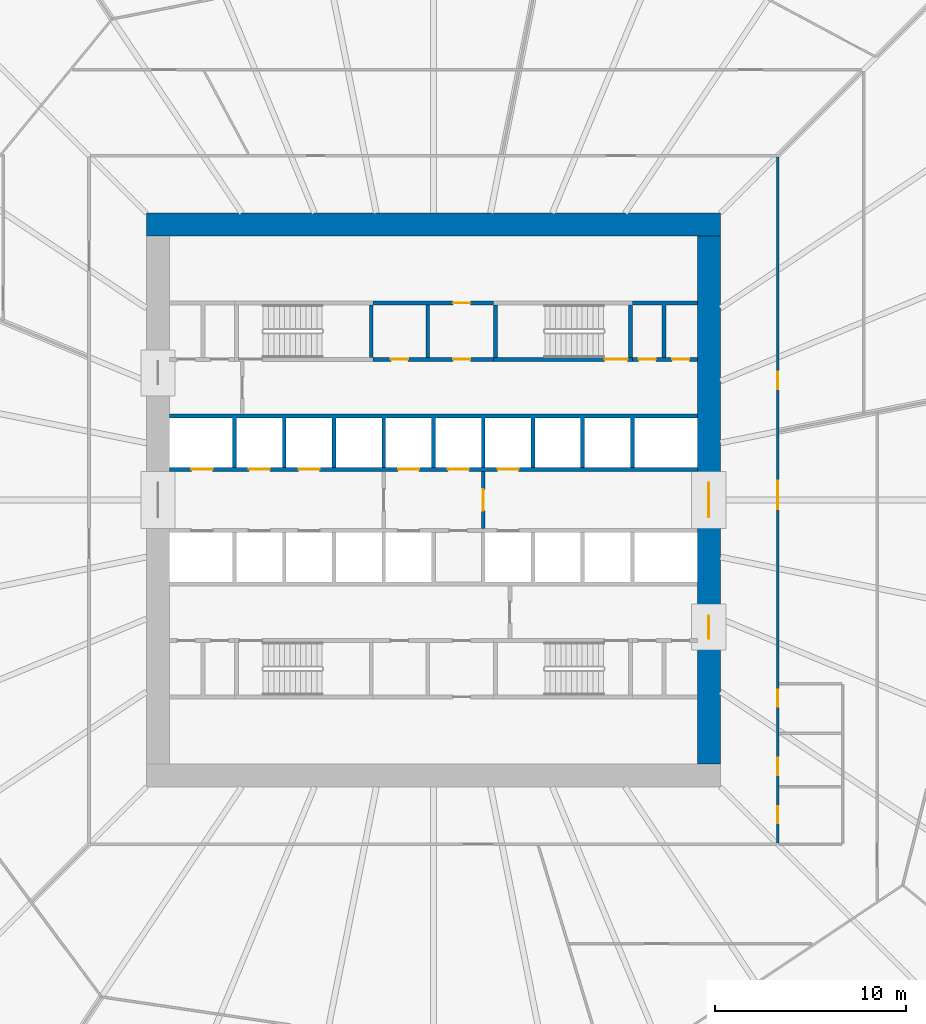
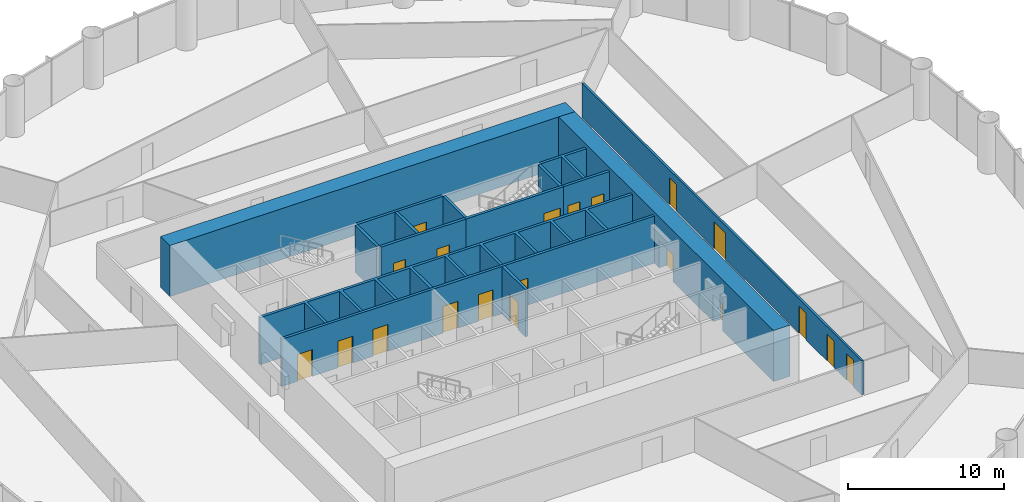
# One storey, part 12 of 15: 20 doors, 15 walls, 20 openings.
"""IFC4 building model written with IfcOpenShell, lengths in metres."""

from ifc_helpers import new_model, si_unit, direction, frame, frame_2d, origin, place, context, subcontext, project, spatial, polyline, rectangle, outline, extrude, material, layer, layer_set, type_object, element, fill, save


model = new_model("IFC4")

# Units and contexts
model_context = context("Model", 3, precision=1e-05, world=origin(), true_north=direction((0.0, 1.0)))
body_context = subcontext(model_context, "Body", "Model", "MODEL_VIEW")
ifc_project = project(units=[si_unit("LENGTHUNIT", "METRE"), si_unit("AREAUNIT", "SQUARE_METRE"), si_unit("VOLUMEUNIT", "CUBIC_METRE"), si_unit("PLANEANGLEUNIT", "RADIAN"), si_unit("MASSUNIT", "GRAM", prefix="KILO")], contexts=[model_context])

# Site, building, storey
site_placement = place(None, origin())
site = spatial("IfcSite", under=ifc_project, at=site_placement, CompositionType="ELEMENT")
building_placement = place(site_placement, origin())
building = spatial("IfcBuilding", under=site, at=building_placement, Name="Corvane Civic Tower", CompositionType="ELEMENT")
storey_placement = place(building_placement, frame((0.0, 0.0, 69.0)))
storey = spatial("IfcBuildingStorey", under=building, at=storey_placement, Name="L15", CompositionType="ELEMENT", Elevation=69.0)

# Wall
ifc_material_1 = material(Name="Concrete C80/95", Category="concrete")
ifc_layer_1 = layer(ifc_material_1, 1.199951171875)
ifc_layer_set_1 = layer_set([ifc_layer_1], Name="Concrete C80/95")
wall_type_1 = type_object("IfcWallType", Name="CORE WALL 1200 C80/95", PredefinedType="SHEAR", material=ifc_layer_set_1)
wall_1_placement = place(storey_placement, frame((-15.0, 14.39990234375, 0.0), z_axis=(0.0, 0.0, 1.0), x_axis=(1.0, 0.0, 0.0)))
element("IfcWall", 1, at=wall_1_placement, inside=storey, type_object=wall_type_1, Name="W-L15-core-N", PredefinedType="SHEAR", context=body_context, shape_type="SweptSolid", body=[
    extrude(rectangle(XDim=30.0, YDim=1.199951171875, at=frame_2d((15.0, 0.0))), origin(), (0.0, 0.0, 1.0), 4.0),
])

# Wall, openings, doors
wall_2_placement = place(storey_placement, frame((14.39990234375, -13.800048828125, 0.0), z_axis=(0.0, 0.0, 1.0), x_axis=(0.0, 1.0, 0.0)))
wall_2 = element("IfcWall", 2, at=wall_2_placement, inside=storey, type_object=wall_type_1, Name="W-L15-core-E", PredefinedType="SHEAR", context=body_context, shape_type="SweptSolid", body=[
    extrude(rectangle(XDim=27.60009765625, YDim=1.199951171875, at=frame_2d((13.800048828125, 0.0))), origin(), (0.0, 0.0, 1.0), 4.0),
])
opening_1_placement = place(wall_2_placement, frame((12.89990234375, 0.0, 0.0)))
opening_1 = element("IfcOpeningElement", 3, at=opening_1_placement, cuts=wall_2, Name="Opening L15.C25", PredefinedType="OPENING", context=body_context, shape_type="SweptSolid", body=[
    extrude(rectangle(XDim=1.800048828125, YDim=2.10009765625, at=frame_2d((0.89990234375, 1.050048828125))), frame((0.0, 0.60986328125, 0.0), z_axis=(0.0, -1.0, 0.0), x_axis=(1.0, 0.0, 0.0)), (0.0, 0.0, 1.0), 1.219970703125),
])
opening_2_placement = place(wall_2_placement, frame((6.550048828125, 0.0, 0.0)))
opening_2 = element("IfcOpeningElement", 4, at=opening_2_placement, cuts=wall_2, Name="Opening L15.C27", PredefinedType="OPENING", context=body_context, shape_type="SweptSolid", body=[
    extrude(rectangle(XDim=1.199951171875, YDim=2.10009765625, at=frame_2d((0.60009765625, 1.050048828125))), frame((0.0, 0.60986328125, 0.0), z_axis=(0.0, -1.0, 0.0), x_axis=(1.0, 0.0, 0.0)), (0.0, 0.0, 1.0), 1.219970703125),
])
ifc_material_2 = material(Name="Steel fire door leaf", Category="steel")
door_type_1 = type_object("IfcDoorType", Name="CR-DOOR-CORE-1800", OperationType="DOUBLE_DOOR_SINGLE_SWING", PredefinedType="DOOR", material=ifc_material_2)
door_1_placement = place(opening_1_placement, origin())
door_1 = element("IfcDoor", 5, at=door_1_placement, inside=storey, type_object=door_type_1, Name="L15 door", OperationType="DOUBLE_DOOR_SINGLE_SWING", OverallHeight=2.10009765625, OverallWidth=1.800048828125, PredefinedType="DOOR", context=body_context, shape_type="SweptSolid", body=[
    extrude(rectangle(XDim=1.800048828125, YDim=2.10009765625, at=frame_2d((0.89990234375, 1.050048828125))), frame((0.0, 0.02490234375, 0.0), z_axis=(0.0, -1.0, 0.0), x_axis=(1.0, 0.0, 0.0)), (0.0, 0.0, 1.0), 0.050048828125),
])
fill(opening_1, door_1)
door_2_placement = place(opening_2_placement, origin())
door_2 = element("IfcDoor", 6, at=door_2_placement, inside=storey, type_object=door_type_1, Name="L15 door", OperationType="DOUBLE_DOOR_SINGLE_SWING", OverallHeight=2.10009765625, OverallWidth=1.199951171875, PredefinedType="DOOR", context=body_context, shape_type="SweptSolid", body=[
    extrude(rectangle(XDim=1.199951171875, YDim=2.10009765625, at=frame_2d((0.60009765625, 1.050048828125))), frame((0.0, 0.02490234375, 0.0), z_axis=(0.0, -1.0, 0.0), x_axis=(1.0, 0.0, 0.0)), (0.0, 0.0, 1.0), 0.050048828125),
])
fill(opening_2, door_2)

ifc_material_3 = material(Name="Concrete C30/37", Category="concrete")
ifc_layer_2 = layer(ifc_material_3, 0.199951171875)
ifc_layer_set_2 = layer_set([ifc_layer_2], Name="Concrete C30/37")
wall_type_2 = type_object("IfcWallType", Name="CR-WALL-200", PredefinedType="PARTITIONING", material=ifc_layer_set_2)
wall_3_placement = place(storey_placement, frame((-13.800048828125, 1.60009765625, 0.0), z_axis=(0.0, 0.0, 1.0), x_axis=(1.0, 0.0, 0.0)))
wall_3 = element("IfcWall", 7, at=wall_3_placement, inside=storey, type_object=wall_type_2, Name="L15 lift shaft wall", PredefinedType="PARTITIONING", context=body_context, shape_type="SweptSolid", body=[
    extrude(rectangle(XDim=27.60009765625, YDim=0.199951171875, at=frame_2d((13.800048828125, 0.0))), origin(), (0.0, 0.0, 1.0), 3.699951171875),
])
opening_3_placement = place(wall_3_placement, frame((1.14990234375, 0.0, 0.0)))
opening_3 = element("IfcOpeningElement", 8, at=opening_3_placement, cuts=wall_3, Name="Opening LD", PredefinedType="OPENING", context=body_context, shape_type="SweptSolid", body=[
    extrude(rectangle(XDim=1.10009765625, YDim=2.10009765625, at=frame_2d((0.550048828125, 1.050048828125))), frame((0.0, 0.10986328125, 0.0), z_axis=(0.0, -1.0, 0.0), x_axis=(1.0, 0.0, 0.0)), (0.0, 0.0, 1.0), 0.219970703125),
])
opening_4_placement = place(wall_3_placement, frame((4.14990234375, 0.0, 0.0)))
opening_4 = element("IfcOpeningElement", 9, at=opening_4_placement, cuts=wall_3, Name="Opening LD", PredefinedType="OPENING", context=body_context, shape_type="SweptSolid", body=[
    extrude(rectangle(XDim=1.10009765625, YDim=2.10009765625, at=frame_2d((0.550048828125, 1.050048828125))), frame((0.0, 0.10986328125, 0.0), z_axis=(0.0, -1.0, 0.0), x_axis=(1.0, 0.0, 0.0)), (0.0, 0.0, 1.0), 0.219970703125),
])
opening_5_placement = place(wall_3_placement, frame((6.75, 0.0, 0.0)))
opening_5 = element("IfcOpeningElement", 10, at=opening_5_placement, cuts=wall_3, Name="Opening LD", PredefinedType="OPENING", context=body_context, shape_type="SweptSolid", body=[
    extrude(rectangle(XDim=1.10009765625, YDim=2.10009765625, at=frame_2d((0.550048828125, 1.050048828125))), frame((0.0, 0.10986328125, 0.0), z_axis=(0.0, -1.0, 0.0), x_axis=(1.0, 0.0, 0.0)), (0.0, 0.0, 1.0), 0.219970703125),
])
opening_6_placement = place(wall_3_placement, frame((11.949951171875, 0.0, 0.0)))
opening_6 = element("IfcOpeningElement", 11, at=opening_6_placement, cuts=wall_3, Name="Opening LD", PredefinedType="OPENING", context=body_context, shape_type="SweptSolid", body=[
    extrude(rectangle(XDim=1.10009765625, YDim=2.10009765625, at=frame_2d((0.550048828125, 1.050048828125))), frame((0.0, 0.10986328125, 0.0), z_axis=(0.0, -1.0, 0.0), x_axis=(1.0, 0.0, 0.0)), (0.0, 0.0, 1.0), 0.219970703125),
])
opening_7_placement = place(wall_3_placement, frame((14.550048828125, 0.0, 0.0)))
opening_7 = element("IfcOpeningElement", 12, at=opening_7_placement, cuts=wall_3, Name="Opening LD", PredefinedType="OPENING", context=body_context, shape_type="SweptSolid", body=[
    extrude(rectangle(XDim=1.10009765625, YDim=2.10009765625, at=frame_2d((0.550048828125, 1.050048828125))), frame((0.0, 0.10986328125, 0.0), z_axis=(0.0, -1.0, 0.0), x_axis=(1.0, 0.0, 0.0)), (0.0, 0.0, 1.0), 0.219970703125),
])
opening_8_placement = place(wall_3_placement, frame((17.14990234375, 0.0, 0.0)))
opening_8 = element("IfcOpeningElement", 13, at=opening_8_placement, cuts=wall_3, Name="Opening LD", PredefinedType="OPENING", context=body_context, shape_type="SweptSolid", body=[
    extrude(rectangle(XDim=1.10009765625, YDim=2.10009765625, at=frame_2d((0.550048828125, 1.050048828125))), frame((0.0, 0.10986328125, 0.0), z_axis=(0.0, -1.0, 0.0), x_axis=(1.0, 0.0, 0.0)), (0.0, 0.0, 1.0), 0.219970703125),
])
ifc_material_4 = material(Name="Stainless steel 316 door leaves", Category="steel")
door_type_2 = type_object("IfcDoorType", Name="LD", OperationType="DOUBLE_DOOR_SLIDING", PredefinedType="DOOR", material=ifc_material_4)
door_3_placement = place(opening_3_placement, origin())
door_3 = element("IfcDoor", 14, at=door_3_placement, inside=storey, type_object=door_type_2, Name="L15 landing door", OperationType="DOUBLE_DOOR_SLIDING", OverallHeight=2.10009765625, OverallWidth=1.10009765625, PredefinedType="DOOR", context=body_context, shape_type="SweptSolid", body=[
    extrude(rectangle(XDim=1.10009765625, YDim=2.10009765625, at=frame_2d((0.550048828125, 1.050048828125))), frame((0.0, 0.02490234375, 0.0), z_axis=(0.0, -1.0, 0.0), x_axis=(1.0, 0.0, 0.0)), (0.0, 0.0, 1.0), 0.050048828125),
])
fill(opening_3, door_3)
door_4_placement = place(opening_4_placement, origin())
door_4 = element("IfcDoor", 15, at=door_4_placement, inside=storey, type_object=door_type_2, Name="L15 landing door", OperationType="DOUBLE_DOOR_SLIDING", OverallHeight=2.10009765625, OverallWidth=1.10009765625, PredefinedType="DOOR", context=body_context, shape_type="SweptSolid", body=[
    extrude(rectangle(XDim=1.10009765625, YDim=2.10009765625, at=frame_2d((0.550048828125, 1.050048828125))), frame((0.0, 0.02490234375, 0.0), z_axis=(0.0, -1.0, 0.0), x_axis=(1.0, 0.0, 0.0)), (0.0, 0.0, 1.0), 0.050048828125),
])
fill(opening_4, door_4)
door_5_placement = place(opening_5_placement, origin())
door_5 = element("IfcDoor", 16, at=door_5_placement, inside=storey, type_object=door_type_2, Name="L15 landing door", OperationType="DOUBLE_DOOR_SLIDING", OverallHeight=2.10009765625, OverallWidth=1.10009765625, PredefinedType="DOOR", context=body_context, shape_type="SweptSolid", body=[
    extrude(rectangle(XDim=1.10009765625, YDim=2.10009765625, at=frame_2d((0.550048828125, 1.050048828125))), frame((0.0, 0.02490234375, 0.0), z_axis=(0.0, -1.0, 0.0), x_axis=(1.0, 0.0, 0.0)), (0.0, 0.0, 1.0), 0.050048828125),
])
fill(opening_5, door_5)
door_6_placement = place(opening_6_placement, origin())
door_6 = element("IfcDoor", 17, at=door_6_placement, inside=storey, type_object=door_type_2, Name="L15 landing door", OperationType="DOUBLE_DOOR_SLIDING", OverallHeight=2.10009765625, OverallWidth=1.10009765625, PredefinedType="DOOR", context=body_context, shape_type="SweptSolid", body=[
    extrude(rectangle(XDim=1.10009765625, YDim=2.10009765625, at=frame_2d((0.550048828125, 1.050048828125))), frame((0.0, 0.02490234375, 0.0), z_axis=(0.0, -1.0, 0.0), x_axis=(1.0, 0.0, 0.0)), (0.0, 0.0, 1.0), 0.050048828125),
])
fill(opening_6, door_6)
door_7_placement = place(opening_7_placement, origin())
door_7 = element("IfcDoor", 18, at=door_7_placement, inside=storey, type_object=door_type_2, Name="L15 landing door", OperationType="DOUBLE_DOOR_SLIDING", OverallHeight=2.10009765625, OverallWidth=1.10009765625, PredefinedType="DOOR", context=body_context, shape_type="SweptSolid", body=[
    extrude(rectangle(XDim=1.10009765625, YDim=2.10009765625, at=frame_2d((0.550048828125, 1.050048828125))), frame((0.0, 0.02490234375, 0.0), z_axis=(0.0, -1.0, 0.0), x_axis=(1.0, 0.0, 0.0)), (0.0, 0.0, 1.0), 0.050048828125),
])
fill(opening_7, door_7)
door_8_placement = place(opening_8_placement, origin())
door_8 = element("IfcDoor", 19, at=door_8_placement, inside=storey, type_object=door_type_2, Name="L15 landing door", OperationType="DOUBLE_DOOR_SLIDING", OverallHeight=2.10009765625, OverallWidth=1.10009765625, PredefinedType="DOOR", context=body_context, shape_type="SweptSolid", body=[
    extrude(rectangle(XDim=1.10009765625, YDim=2.10009765625, at=frame_2d((0.550048828125, 1.050048828125))), frame((0.0, 0.02490234375, 0.0), z_axis=(0.0, -1.0, 0.0), x_axis=(1.0, 0.0, 0.0)), (0.0, 0.0, 1.0), 0.050048828125),
])
fill(opening_8, door_8)

wall_4_placement = place(storey_placement, frame((-3.14990234375, 7.35009765625, 0.0), z_axis=(0.0, 0.0, 1.0), x_axis=(1.0, 0.0, 0.0)))
wall_4 = element("IfcWall", 20, at=wall_4_placement, inside=storey, type_object=wall_type_2, Name="L15 core partition wall", PredefinedType="PARTITIONING", context=body_context, shape_type="SweptSolid", body=[
    extrude(rectangle(XDim=6.2998046875, YDim=0.199951171875, at=frame_2d((3.14990234375, 0.0))), origin(), (0.0, 0.0, 1.0), 3.699951171875),
])
opening_9_placement = place(wall_4_placement, frame((0.925048828125, 0.0, 0.0)))
opening_9 = element("IfcOpeningElement", 21, at=opening_9_placement, cuts=wall_4, Name="Opening L15.C02", PredefinedType="OPENING", context=body_context, shape_type="SweptSolid", body=[
    extrude(rectangle(XDim=0.89990234375, YDim=2.10009765625, at=frame_2d((0.449951171875, 1.050048828125))), frame((0.0, 0.10986328125, 0.0), z_axis=(0.0, -1.0, 0.0), x_axis=(1.0, 0.0, 0.0)), (0.0, 0.0, 1.0), 0.219970703125),
])
opening_10_placement = place(wall_4_placement, frame((4.175048828125, 0.0, 0.0)))
opening_10 = element("IfcOpeningElement", 22, at=opening_10_placement, cuts=wall_4, Name="Opening L15.C03", PredefinedType="OPENING", context=body_context, shape_type="SweptSolid", body=[
    extrude(rectangle(XDim=0.89990234375, YDim=2.10009765625, at=frame_2d((0.449951171875, 1.050048828125))), frame((0.0, 0.10986328125, 0.0), z_axis=(0.0, -1.0, 0.0), x_axis=(1.0, 0.0, 0.0)), (0.0, 0.0, 1.0), 0.219970703125),
])
ifc_material_5 = material(Name="Steel fire door leaf", Category="steel")
door_type_3 = type_object("IfcDoorType", Name="CR-DOOR-900", OperationType="SINGLE_SWING_LEFT", PredefinedType="DOOR", material=ifc_material_5)
door_9_placement = place(opening_9_placement, origin())
door_9 = element("IfcDoor", 23, at=door_9_placement, inside=storey, type_object=door_type_3, Name="L15 door", OperationType="SINGLE_SWING_LEFT", OverallHeight=2.10009765625, OverallWidth=0.89990234375, PredefinedType="DOOR", context=body_context, shape_type="SweptSolid", body=[
    extrude(rectangle(XDim=0.89990234375, YDim=2.10009765625, at=frame_2d((0.449951171875, 1.050048828125))), frame((0.0, 0.02490234375, 0.0), z_axis=(0.0, -1.0, 0.0), x_axis=(1.0, 0.0, 0.0)), (0.0, 0.0, 1.0), 0.050048828125),
])
fill(opening_9, door_9)
door_10_placement = place(opening_10_placement, origin())
door_10 = element("IfcDoor", 24, at=door_10_placement, inside=storey, type_object=door_type_3, Name="L15 door", OperationType="SINGLE_SWING_LEFT", OverallHeight=2.10009765625, OverallWidth=0.89990234375, PredefinedType="DOOR", context=body_context, shape_type="SweptSolid", body=[
    extrude(rectangle(XDim=0.89990234375, YDim=2.10009765625, at=frame_2d((0.449951171875, 1.050048828125))), frame((0.0, 0.02490234375, 0.0), z_axis=(0.0, -1.0, 0.0), x_axis=(1.0, 0.0, 0.0)), (0.0, 0.0, 1.0), 0.050048828125),
])
fill(opening_10, door_10)

wall_5_placement = place(storey_placement, frame((10.39990234375, 7.35009765625, 0.0), z_axis=(0.0, 0.0, 1.0), x_axis=(1.0, 0.0, 0.0)))
wall_5 = element("IfcWall", 25, at=wall_5_placement, inside=storey, type_object=wall_type_2, Name="L15 core partition wall", PredefinedType="PARTITIONING", context=body_context, shape_type="SweptSolid", body=[
    extrude(rectangle(XDim=3.400146484375, YDim=0.199951171875, at=frame_2d((1.7001953125, 0.0))), origin(), (0.0, 0.0, 1.0), 3.699951171875),
])
opening_11_placement = place(wall_5_placement, frame((0.324951171875, 0.0, 0.0)))
opening_11 = element("IfcOpeningElement", 26, at=opening_11_placement, cuts=wall_5, Name="Opening L15.C12", PredefinedType="OPENING", context=body_context, shape_type="SweptSolid", body=[
    extrude(rectangle(XDim=0.89990234375, YDim=2.10009765625, at=frame_2d((0.449951171875, 1.050048828125))), frame((0.0, 0.10986328125, 0.0), z_axis=(0.0, -1.0, 0.0), x_axis=(1.0, 0.0, 0.0)), (0.0, 0.0, 1.0), 0.219970703125),
])
opening_12_placement = place(wall_5_placement, frame((2.074951171875, 0.0, 0.0)))
opening_12 = element("IfcOpeningElement", 27, at=opening_12_placement, cuts=wall_5, Name="Opening L15.C13", PredefinedType="OPENING", context=body_context, shape_type="SweptSolid", body=[
    extrude(rectangle(XDim=0.89990234375, YDim=2.10009765625, at=frame_2d((0.449951171875, 1.050048828125))), frame((0.0, 0.10986328125, 0.0), z_axis=(0.0, -1.0, 0.0), x_axis=(1.0, 0.0, 0.0)), (0.0, 0.0, 1.0), 0.219970703125),
])
door_11_placement = place(opening_11_placement, origin())
door_11 = element("IfcDoor", 28, at=door_11_placement, inside=storey, type_object=door_type_3, Name="L15 door", OperationType="SINGLE_SWING_LEFT", OverallHeight=2.10009765625, OverallWidth=0.89990234375, PredefinedType="DOOR", context=body_context, shape_type="SweptSolid", body=[
    extrude(rectangle(XDim=0.89990234375, YDim=2.10009765625, at=frame_2d((0.449951171875, 1.050048828125))), frame((0.0, 0.02490234375, 0.0), z_axis=(0.0, -1.0, 0.0), x_axis=(1.0, 0.0, 0.0)), (0.0, 0.0, 1.0), 0.050048828125),
])
fill(opening_11, door_11)
door_12_placement = place(opening_12_placement, origin())
door_12 = element("IfcDoor", 29, at=door_12_placement, inside=storey, type_object=door_type_3, Name="L15 door", OperationType="SINGLE_SWING_LEFT", OverallHeight=2.10009765625, OverallWidth=0.89990234375, PredefinedType="DOOR", context=body_context, shape_type="SweptSolid", body=[
    extrude(rectangle(XDim=0.89990234375, YDim=2.10009765625, at=frame_2d((0.449951171875, 1.050048828125))), frame((0.0, 0.02490234375, 0.0), z_axis=(0.0, -1.0, 0.0), x_axis=(1.0, 0.0, 0.0)), (0.0, 0.0, 1.0), 0.050048828125),
])
fill(opening_12, door_12)

# Wall, opening, door
wall_6_placement = place(storey_placement, frame((-3.14990234375, 10.300048828125, 0.0), z_axis=(0.0, 0.0, 1.0), x_axis=(1.0, 0.0, 0.0)))
wall_6 = element("IfcWall", 30, at=wall_6_placement, inside=storey, type_object=wall_type_2, Name="L15 partition wall", PredefinedType="PARTITIONING", context=body_context, shape_type="SweptSolid", body=[
    extrude(rectangle(XDim=6.2998046875, YDim=0.199951171875, at=frame_2d((3.14990234375, 0.0))), origin(), (0.0, 0.0, 1.0), 3.699951171875),
])
opening_13_placement = place(wall_6_placement, frame((4.175048828125, 0.0, 0.0)))
opening_13 = element("IfcOpeningElement", 31, at=opening_13_placement, cuts=wall_6, Name="Opening L15.C06", PredefinedType="OPENING", context=body_context, shape_type="SweptSolid", body=[
    extrude(rectangle(XDim=0.89990234375, YDim=2.10009765625, at=frame_2d((0.449951171875, 1.050048828125))), frame((0.0, 0.10986328125, 0.0), z_axis=(0.0, -1.0, 0.0), x_axis=(1.0, 0.0, 0.0)), (0.0, 0.0, 1.0), 0.219970703125),
])
door_13_placement = place(opening_13_placement, origin())
door_13 = element("IfcDoor", 32, at=door_13_placement, inside=storey, type_object=door_type_3, Name="L15 door", OperationType="SINGLE_SWING_LEFT", OverallHeight=2.10009765625, OverallWidth=0.89990234375, PredefinedType="DOOR", context=body_context, shape_type="SweptSolid", body=[
    extrude(rectangle(XDim=0.89990234375, YDim=2.10009765625, at=frame_2d((0.449951171875, 1.050048828125))), frame((0.0, 0.02490234375, 0.0), z_axis=(0.0, -1.0, 0.0), x_axis=(1.0, 0.0, 0.0)), (0.0, 0.0, 1.0), 0.050048828125),
])
fill(opening_13, door_13)

wall_7_placement = place(storey_placement, frame((2.60009765625, -1.5, 0.0), z_axis=(0.0, 0.0, 1.0), x_axis=(0.0, 1.0, 0.0)))
wall_7 = element("IfcWall", 33, at=wall_7_placement, inside=storey, type_object=wall_type_2, Name="L15 firefighting lobby wall", PredefinedType="PARTITIONING", context=body_context, shape_type="SweptSolid", body=[
    extrude(rectangle(XDim=3.0, YDim=0.199951171875, at=frame_2d((1.5, 0.0))), origin(), (0.0, 0.0, 1.0), 3.699951171875),
])
opening_14_placement = place(wall_7_placement, frame((0.949951171875, 0.0, 0.0)))
opening_14 = element("IfcOpeningElement", 34, at=opening_14_placement, cuts=wall_7, Name="Opening L15.C21", PredefinedType="OPENING", context=body_context, shape_type="SweptSolid", body=[
    extrude(rectangle(XDim=1.10009765625, YDim=2.10009765625, at=frame_2d((0.550048828125, 1.050048828125))), frame((0.0, 0.10986328125, 0.0), z_axis=(0.0, -1.0, 0.0), x_axis=(1.0, 0.0, 0.0)), (0.0, 0.0, 1.0), 0.219970703125),
])
ifc_material_6 = material(Name="Steel fire door leaf", Category="steel")
door_type_4 = type_object("IfcDoorType", Name="CR-DOOR-FFL-1100", OperationType="SINGLE_SWING_LEFT", PredefinedType="DOOR", material=ifc_material_6)
door_14_placement = place(opening_14_placement, origin())
door_14 = element("IfcDoor", 35, at=door_14_placement, inside=storey, type_object=door_type_4, Name="L15 lobby door", OperationType="SINGLE_SWING_LEFT", OverallHeight=2.10009765625, OverallWidth=1.10009765625, PredefinedType="DOOR", context=body_context, shape_type="SweptSolid", body=[
    extrude(rectangle(XDim=1.10009765625, YDim=2.10009765625, at=frame_2d((0.550048828125, 1.050048828125))), frame((0.0, 0.02490234375, 0.0), z_axis=(0.0, -1.0, 0.0), x_axis=(1.0, 0.0, 0.0)), (0.0, 0.0, 1.0), 0.050048828125),
])
fill(opening_14, door_14)

# Walls
wall_8_placement = place(storey_placement, origin())
element("IfcWall", 36, at=wall_8_placement, inside=storey, type_object=wall_type_2, Name="L15 core partition wall", PredefinedType="PARTITIONING", context=body_context, shape_type="SweptSolid", body=[
    extrude(outline(polyline([(-0.199951171875, 7.449951171875), (-0.39990234375, 7.449951171875), (-0.39990234375, 10.199951171875), (-0.199951171875, 10.199951171875), (-0.199951171875, 7.449951171875)])), origin(), (0.0, 0.0, 1.0), 3.699951171875),
])
wall_9_placement = place(storey_placement, origin())
element("IfcWall", 37, at=wall_9_placement, inside=storey, type_object=wall_type_2, Name="L15 core partition wall", PredefinedType="PARTITIONING", context=body_context, shape_type="SweptSolid", body=[
    extrude(outline(polyline([(-10.300048828125, 1.699951171875), (-10.5, 1.699951171875), (-10.5, 4.300048828125), (-13.800048828125, 4.300048828125), (-13.800048828125, 4.5), (13.800048828125, 4.5), (13.800048828125, 4.300048828125), (10.5, 4.300048828125), (10.5, 1.699951171875), (10.300048828125, 1.699951171875), (10.300048828125, 4.300048828125), (7.89990234375, 4.300048828125), (7.89990234375, 1.699951171875), (7.699951171875, 1.699951171875), (7.699951171875, 4.300048828125), (5.300048828125, 4.300048828125), (5.300048828125, 1.699951171875), (5.10009765625, 1.699951171875), (5.10009765625, 4.300048828125), (2.699951171875, 4.300048828125), (2.699951171875, 1.699951171875), (2.5, 1.699951171875), (2.5, 4.300048828125), (0.10009765625, 4.300048828125), (0.10009765625, 1.699951171875), (-0.10009765625, 1.699951171875), (-0.10009765625, 4.300048828125), (-2.5, 4.300048828125), (-2.5, 1.699951171875), (-2.699951171875, 1.699951171875), (-2.699951171875, 4.300048828125), (-5.10009765625, 4.300048828125), (-5.10009765625, 1.699951171875), (-5.300048828125, 1.699951171875), (-5.300048828125, 4.300048828125), (-7.699951171875, 4.300048828125), (-7.699951171875, 1.699951171875), (-7.89990234375, 1.699951171875), (-7.89990234375, 4.300048828125), (-10.300048828125, 4.300048828125), (-10.300048828125, 1.699951171875)])), origin(), (0.0, 0.0, 1.0), 3.699951171875),
])
wall_10_placement = place(storey_placement, origin())
element("IfcWall", 38, at=wall_10_placement, inside=storey, type_object=wall_type_2, Name="L15 core partition wall", PredefinedType="PARTITIONING", context=body_context, shape_type="SweptSolid", body=[
    extrude(outline(polyline([(13.800048828125, 10.39990234375), (13.800048828125, 10.199951171875), (12.14990234375, 10.199951171875), (12.14990234375, 7.449951171875), (11.949951171875, 7.449951171875), (11.949951171875, 10.199951171875), (10.39990234375, 10.199951171875), (10.39990234375, 10.39990234375), (13.800048828125, 10.39990234375)])), origin(), (0.0, 0.0, 1.0), 3.699951171875),
])

# Wall, opening, door
ifc_material_7 = material(Name="Concrete C50/60", Category="concrete")
ifc_layer_3 = layer(ifc_material_7, 0.199951171875)
ifc_layer_set_3 = layer_set([ifc_layer_3], Name="Concrete C50/60")
wall_type_3 = type_object("IfcWallType", Name="ST-WALL-200", PredefinedType="SHEAR", material=ifc_layer_set_3)
wall_11_placement = place(storey_placement, frame((3.14990234375, 7.35009765625, 0.0), z_axis=(0.0, 0.0, 1.0), x_axis=(1.0, 0.0, 0.0)))
wall_11 = element("IfcWall", 39, at=wall_11_placement, inside=storey, type_object=wall_type_3, Name="L15 stair enclosure wall", PredefinedType="SHEAR", context=body_context, shape_type="SweptSolid", body=[
    extrude(rectangle(XDim=7.25, YDim=0.199951171875, at=frame_2d((3.625, 0.0))), origin(), (0.0, 0.0, 1.0), 3.699951171875),
])
opening_15_placement = place(wall_11_placement, frame((5.800048828125, 0.0, 0.0)))
opening_15 = element("IfcOpeningElement", 40, at=opening_15_placement, cuts=wall_11, Name="Opening L15.C16", PredefinedType="OPENING", context=body_context, shape_type="SweptSolid", body=[
    extrude(rectangle(XDim=1.199951171875, YDim=2.10009765625, at=frame_2d((0.60009765625, 1.050048828125))), frame((0.0, 0.10986328125, 0.0), z_axis=(0.0, -1.0, 0.0), x_axis=(1.0, 0.0, 0.0)), (0.0, 0.0, 1.0), 0.219970703125),
])
ifc_material_8 = material(Name="Steel fire door leaf", Category="steel")
door_type_5 = type_object("IfcDoorType", Name="ST-DOOR-1200", OperationType="SINGLE_SWING_RIGHT", PredefinedType="DOOR", material=ifc_material_8)
door_15_placement = place(opening_15_placement, origin())
door_15 = element("IfcDoor", 41, at=door_15_placement, inside=storey, type_object=door_type_5, Name="L15 stair door", OperationType="SINGLE_SWING_RIGHT", OverallHeight=2.10009765625, OverallWidth=1.199951171875, PredefinedType="DOOR", context=body_context, shape_type="SweptSolid", body=[
    extrude(rectangle(XDim=1.199951171875, YDim=2.10009765625, at=frame_2d((0.60009765625, 1.050048828125))), frame((0.0, 0.02490234375, 0.0), z_axis=(0.0, -1.0, 0.0), x_axis=(1.0, 0.0, 0.0)), (0.0, 0.0, 1.0), 0.050048828125),
])
fill(opening_15, door_15)

# Walls
wall_12_placement = place(storey_placement, origin())
element("IfcWall", 42, at=wall_12_placement, inside=storey, type_object=wall_type_3, Name="L15 stair enclosure wall", PredefinedType="SHEAR", context=body_context, shape_type="SweptSolid", body=[
    extrude(outline(polyline([(-3.14990234375, 7.449951171875), (-3.35009765625, 7.449951171875), (-3.35009765625, 10.199951171875), (-3.14990234375, 10.199951171875), (-3.14990234375, 7.449951171875)])), origin(), (0.0, 0.0, 1.0), 3.699951171875),
])
wall_13_placement = place(storey_placement, origin())
element("IfcWall", 43, at=wall_13_placement, inside=storey, type_object=wall_type_3, Name="L15 stair enclosure wall", PredefinedType="SHEAR", context=body_context, shape_type="SweptSolid", body=[
    extrude(outline(polyline([(3.35009765625, 7.449951171875), (3.14990234375, 7.449951171875), (3.14990234375, 10.199951171875), (3.35009765625, 10.199951171875), (3.35009765625, 7.449951171875)])), origin(), (0.0, 0.0, 1.0), 3.699951171875),
])
wall_14_placement = place(storey_placement, origin())
element("IfcWall", 44, at=wall_14_placement, inside=storey, type_object=wall_type_3, Name="L15 stair enclosure wall", PredefinedType="SHEAR", context=body_context, shape_type="SweptSolid", body=[
    extrude(outline(polyline([(10.39990234375, 7.449951171875), (10.199951171875, 7.449951171875), (10.199951171875, 10.199951171875), (10.39990234375, 10.199951171875), (10.39990234375, 7.449951171875)])), origin(), (0.0, 0.0, 1.0), 3.699951171875),
])

# Wall, openings, doors
ifc_material_9 = material(Name="Plasterboard")
ifc_layer_4 = layer(ifc_material_9, 0.14990234375)
ifc_layer_set_4 = layer_set([ifc_layer_4], Name="Plasterboard")
wall_type_4 = type_object("IfcWallType", Name="Tenancy wall 150 EI 60", PredefinedType="PARTITIONING", material=ifc_layer_set_4)
wall_15_placement = place(storey_placement, frame((18.0, -17.925048828125, 0.0), z_axis=(0.0, 0.0, 1.0), x_axis=(0.0, 1.0, 0.0)))
wall_15 = element("IfcWall", 45, at=wall_15_placement, inside=storey, type_object=wall_type_4, Name="Partition L15.015", PredefinedType="PARTITIONING", context=body_context, shape_type="SweptSolid", body=[
    extrude(rectangle(XDim=35.85009765625, YDim=0.14990234375, at=frame_2d((17.925048828125, 0.0))), origin(), (0.0, 0.0, 1.0), 2.699951171875),
])
opening_16_placement = place(wall_15_placement, frame((23.721923828125, 0.0, 0.0)))
opening_16 = element("IfcOpeningElement", 46, at=opening_16_placement, cuts=wall_15, Name="Opening L15.010", PredefinedType="OPENING", context=body_context, shape_type="SweptSolid", body=[
    extrude(rectangle(XDim=0.89990234375, YDim=2.10009765625, at=frame_2d((0.449951171875, 1.050048828125))), frame((0.0, 0.0849609375, 0.0), z_axis=(0.0, -1.0, 0.0), x_axis=(1.0, 0.0, 0.0)), (0.0, 0.0, 1.0), 0.169921875),
])
opening_17_placement = place(wall_15_placement, frame((17.42919921875, 0.0, 0.0)))
opening_17 = element("IfcOpeningElement", 47, at=opening_17_placement, cuts=wall_15, Name="Opening L15.015", PredefinedType="OPENING", context=body_context, shape_type="SweptSolid", body=[
    extrude(rectangle(XDim=1.5, YDim=2.10009765625, at=frame_2d((0.75, 1.050048828125))), frame((0.0, 0.0849609375, 0.0), z_axis=(0.0, -1.0, 0.0), x_axis=(1.0, 0.0, 0.0)), (0.0, 0.0, 1.0), 0.169921875),
])
opening_18_placement = place(wall_15_placement, frame((1.0146484375, 0.0, 0.0)))
opening_18 = element("IfcOpeningElement", 48, at=opening_18_placement, cuts=wall_15, Name="Opening L15.016", PredefinedType="OPENING", context=body_context, shape_type="SweptSolid", body=[
    extrude(rectangle(XDim=0.89990234375, YDim=2.10009765625, at=frame_2d((0.449951171875, 1.050048828125))), frame((0.0, 0.0849609375, 0.0), z_axis=(0.0, -1.0, 0.0), x_axis=(1.0, 0.0, 0.0)), (0.0, 0.0, 1.0), 0.169921875),
])
opening_19_placement = place(wall_15_placement, frame((3.547607421875, 0.0, 0.0)))
opening_19 = element("IfcOpeningElement", 49, at=opening_19_placement, cuts=wall_15, Name="Opening L15.017", PredefinedType="OPENING", context=body_context, shape_type="SweptSolid", body=[
    extrude(rectangle(XDim=0.89990234375, YDim=2.10009765625, at=frame_2d((0.449951171875, 1.050048828125))), frame((0.0, 0.0849609375, 0.0), z_axis=(0.0, -1.0, 0.0), x_axis=(1.0, 0.0, 0.0)), (0.0, 0.0, 1.0), 0.169921875),
])
opening_20_placement = place(wall_15_placement, frame((7.11376953125, 0.0, 0.0)))
opening_20 = element("IfcOpeningElement", 50, at=opening_20_placement, cuts=wall_15, Name="Opening L15.018", PredefinedType="OPENING", context=body_context, shape_type="SweptSolid", body=[
    extrude(rectangle(XDim=0.89990234375, YDim=2.10009765625, at=frame_2d((0.449951171875, 1.050048828125))), frame((0.0, 0.0849609375, 0.0), z_axis=(0.0, -1.0, 0.0), x_axis=(1.0, 0.0, 0.0)), (0.0, 0.0, 1.0), 0.169921875),
])
ifc_material_10 = material(Name="Steel and timber", Category="steel")
door_type_6 = type_object("IfcDoorType", Name="Fire door FD30S 900", OperationType="NOTDEFINED", PredefinedType="DOOR", material=ifc_material_10)
door_16_placement = place(opening_16_placement, frame((0.89990234375, 0.0, 0.0), z_axis=(0.0, 0.0, 1.0), x_axis=(-1.0, 0.0, 0.0)))
door_16 = element("IfcDoor", 51, at=door_16_placement, inside=storey, type_object=door_type_6, Name="Door L15.010", OperationType="SINGLE_SWING_RIGHT", OverallHeight=2.10009765625, OverallWidth=0.89990234375, PredefinedType="DOOR", context=body_context, shape_type="SweptSolid", body=[
    extrude(rectangle(XDim=0.89990234375, YDim=2.10009765625, at=frame_2d((0.449951171875, 1.050048828125))), frame((0.0, 0.02490234375, 0.0), z_axis=(0.0, -1.0, 0.0), x_axis=(1.0, 0.0, 0.0)), (0.0, 0.0, 1.0), 0.050048828125),
])
fill(opening_16, door_16)
door_17_placement = place(opening_18_placement, frame((0.89990234375, 0.0, 0.0), z_axis=(0.0, 0.0, 1.0), x_axis=(-1.0, 0.0, 0.0)))
door_17 = element("IfcDoor", 52, at=door_17_placement, inside=storey, type_object=door_type_6, Name="Door L15.016", OperationType="SINGLE_SWING_RIGHT", OverallHeight=2.10009765625, OverallWidth=0.89990234375, PredefinedType="DOOR", context=body_context, shape_type="SweptSolid", body=[
    extrude(rectangle(XDim=0.89990234375, YDim=2.10009765625, at=frame_2d((0.449951171875, 1.050048828125))), frame((0.0, 0.02490234375, 0.0), z_axis=(0.0, -1.0, 0.0), x_axis=(1.0, 0.0, 0.0)), (0.0, 0.0, 1.0), 0.050048828125),
])
fill(opening_18, door_17)
door_18_placement = place(opening_19_placement, frame((0.89990234375, 0.0, 0.0), z_axis=(0.0, 0.0, 1.0), x_axis=(-1.0, 0.0, 0.0)))
door_18 = element("IfcDoor", 53, at=door_18_placement, inside=storey, type_object=door_type_6, Name="Door L15.017", OperationType="SINGLE_SWING_LEFT", OverallHeight=2.10009765625, OverallWidth=0.89990234375, PredefinedType="DOOR", context=body_context, shape_type="SweptSolid", body=[
    extrude(rectangle(XDim=0.89990234375, YDim=2.10009765625, at=frame_2d((0.449951171875, 1.050048828125))), frame((0.0, 0.02490234375, 0.0), z_axis=(0.0, -1.0, 0.0), x_axis=(1.0, 0.0, 0.0)), (0.0, 0.0, 1.0), 0.050048828125),
])
fill(opening_19, door_18)
door_19_placement = place(opening_20_placement, frame((0.89990234375, 0.0, 0.0), z_axis=(0.0, 0.0, 1.0), x_axis=(-1.0, 0.0, 0.0)))
door_19 = element("IfcDoor", 54, at=door_19_placement, inside=storey, type_object=door_type_6, Name="Door L15.018", OperationType="SINGLE_SWING_LEFT", OverallHeight=2.10009765625, OverallWidth=0.89990234375, PredefinedType="DOOR", context=body_context, shape_type="SweptSolid", body=[
    extrude(rectangle(XDim=0.89990234375, YDim=2.10009765625, at=frame_2d((0.449951171875, 1.050048828125))), frame((0.0, 0.02490234375, 0.0), z_axis=(0.0, -1.0, 0.0), x_axis=(1.0, 0.0, 0.0)), (0.0, 0.0, 1.0), 0.050048828125),
])
fill(opening_20, door_19)
ifc_material_11 = material(Name="Steel and timber", Category="steel")
door_type_7 = type_object("IfcDoorType", Name="Fire door FD60 double 1500", OperationType="NOTDEFINED", PredefinedType="DOOR", material=ifc_material_11)
door_20_placement = place(opening_17_placement, frame((1.5, 0.0, 0.0), z_axis=(0.0, 0.0, 1.0), x_axis=(-1.0, 0.0, 0.0)))
door_20 = element("IfcDoor", 55, at=door_20_placement, inside=storey, type_object=door_type_7, Name="Door L15.015", OperationType="DOUBLE_DOOR_SINGLE_SWING", OverallHeight=2.10009765625, OverallWidth=1.5, PredefinedType="DOOR", context=body_context, shape_type="SweptSolid", body=[
    extrude(rectangle(XDim=1.5, YDim=2.10009765625, at=frame_2d((0.75, 1.050048828125))), frame((0.0, 0.02490234375, 0.0), z_axis=(0.0, -1.0, 0.0), x_axis=(1.0, 0.0, 0.0)), (0.0, 0.0, 1.0), 0.050048828125),
])
fill(opening_17, door_20)

save(model, "model.ifc")
